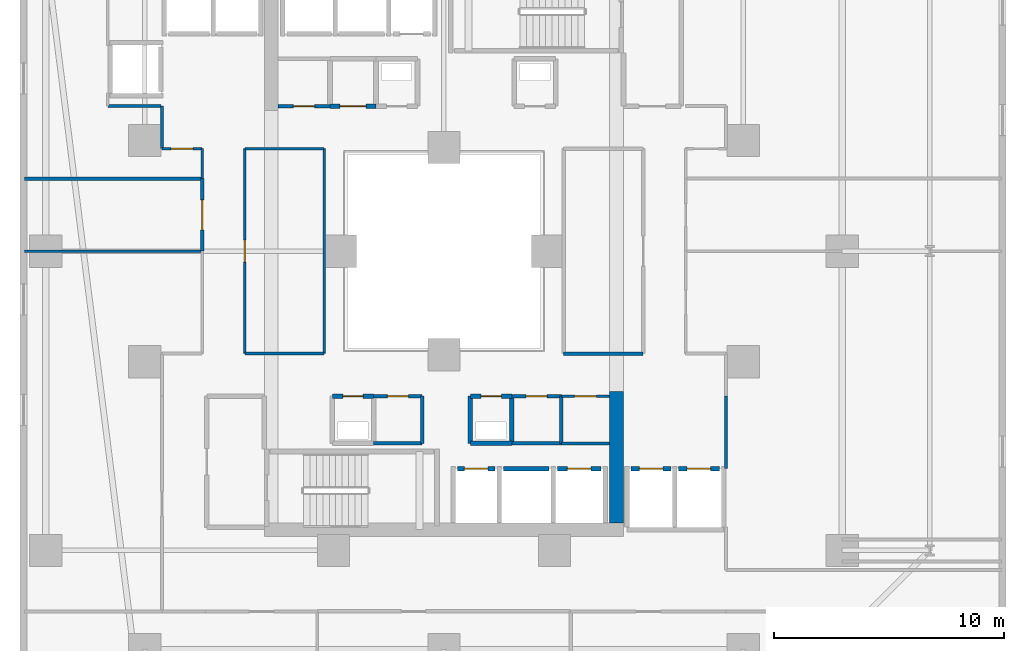
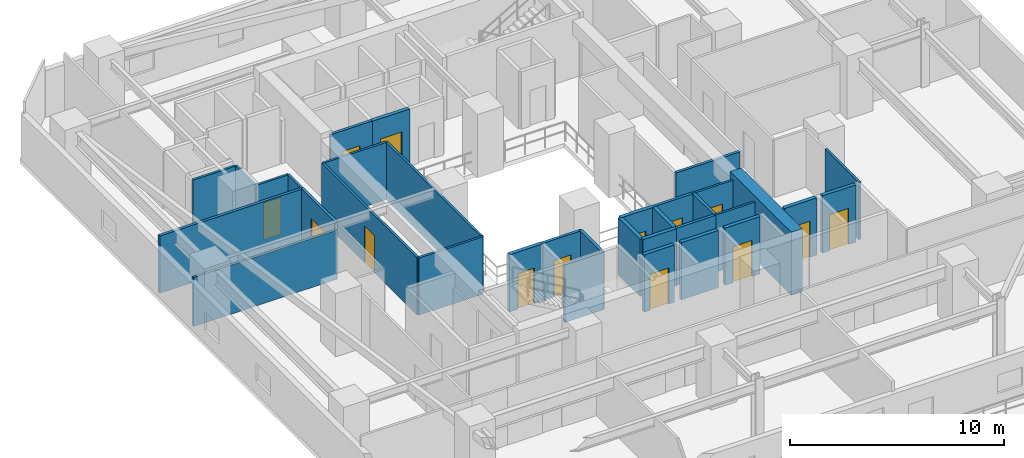
# One storey, part 22 of 36: 34 walls, 14 doors, 14 openings.
"""IFC4 building model written with IfcOpenShell, lengths in metres."""

from ifc_helpers import new_model, si_unit, direction, frame, frame_2d, origin, place, context, subcontext, project, spatial, rectangle, extrude, material, layer, layer_set, type_object, element, fill, save


model = new_model("IFC4")

# Units and contexts
model_context = context("Model", 3, precision=1e-05, world=origin(), true_north=direction((0.0, 1.0)))
body_context = subcontext(model_context, "Body", "Model", "MODEL_VIEW")
ifc_project = project(units=[si_unit("LENGTHUNIT", "METRE"), si_unit("AREAUNIT", "SQUARE_METRE"), si_unit("VOLUMEUNIT", "CUBIC_METRE"), si_unit("PLANEANGLEUNIT", "RADIAN"), si_unit("MASSUNIT", "GRAM", prefix="KILO")], contexts=[model_context])

# Site, building, storey
site_placement = place(None, origin())
site = spatial("IfcSite", under=ifc_project, at=site_placement, CompositionType="ELEMENT")
building_placement = place(site_placement, origin())
building = spatial("IfcBuilding", under=site, at=building_placement, Name="Thornwick Lancets Civic Towers", CompositionType="ELEMENT")
storey_placement = place(building_placement, frame((0.0, 0.0, 68.10009765625)))
storey = spatial("IfcBuildingStorey", under=building, at=storey_placement, Name="L17", CompositionType="ELEMENT", Elevation=68.10009765625)

# Wall, opening, door
ifc_material_1 = material(Name="Concrete blockwork C40/50", Category="masonry")
ifc_layer_1 = layer(ifc_material_1, 0.199951171875, Name="Concrete blockwork C40/50")
ifc_layer_set_1 = layer_set([ifc_layer_1], Name="Concrete blockwork C40/50")
wall_type_1 = type_object("IfcWallType", Name="WALL_COMP_200", PredefinedType="STANDARD", material=ifc_layer_set_1)
wall_1_placement = place(storey_placement, frame((26.080078125, 17.550048828125, 0.0), z_axis=(0.0, 0.0, 1.0), x_axis=(1.0, 0.0, 0.0)))
wall_1 = element("IfcWall", 1, at=wall_1_placement, inside=storey, type_object=wall_type_1, Name="L17 Hoistway Front Wall FL-A1", PredefinedType="STANDARD", context=body_context, shape_type="SweptSolid", body=[
    extrude(rectangle(XDim=1.639892578125, YDim=0.199951171875, at=frame_2d((0.81982421875, 0.0))), origin(), (0.0, 0.0, 1.0), 3.260009765625),
])
opening_1_placement = place(wall_1_placement, frame((0.31005859375, 0.0, 0.0)))
opening_1 = element("IfcOpeningElement", 2, at=opening_1_placement, cuts=wall_1, Name="Opening LD-FL-A1", PredefinedType="OPENING", context=body_context, shape_type="SweptSolid", body=[
    extrude(rectangle(XDim=1.02001953125, YDim=2.06005859375, at=frame_2d((0.510009765625, 1.030029296875))), frame((0.0, 0.10986328125, 0.0), z_axis=(0.0, -1.0, 0.0), x_axis=(1.0, 0.0, 0.0)), (0.0, 0.0, 1.0), 0.219970703125),
])
ifc_material_2 = material(Name="Brushed bronze stainless steel", Category="steel")
door_type_1 = type_object("IfcDoorType", Name="DOOR_LIFT_SLIDE", OperationType="SLIDING_TO_LEFT", PredefinedType="DOOR", material=ifc_material_2)
door_1_placement = place(opening_1_placement, origin())
door_1 = element("IfcDoor", 3, at=door_1_placement, inside=storey, type_object=door_type_1, Name="L17 Sliding Lift Landing Door LD-FL-A1", OperationType="SLIDING_TO_LEFT", OverallHeight=2.06005859375, OverallWidth=1.02001953125, PredefinedType="DOOR", context=body_context, shape_type="SweptSolid", body=[
    extrude(rectangle(XDim=1.02001953125, YDim=2.06005859375, at=frame_2d((0.510009765625, 1.030029296875))), frame((0.0, 0.02490234375, 0.0), z_axis=(0.0, -1.0, 0.0), x_axis=(1.0, 0.0, 0.0)), (0.0, 0.0, 1.0), 0.050048828125),
])
fill(opening_1, door_1)

# Wall
wall_2_placement = place(storey_placement, frame((28.080078125, 17.550048828125, 0.0), z_axis=(0.0, 0.0, 1.0), x_axis=(1.0, 0.0, 0.0)))
element("IfcWall", 4, at=wall_2_placement, inside=storey, type_object=wall_type_1, Name="L17 Hoistway Front Wall PL-AH1", PredefinedType="STANDARD", context=body_context, shape_type="SweptSolid", body=[
    extrude(rectangle(XDim=1.989990234375, YDim=0.199951171875, at=frame_2d((0.9951171875, 0.0))), origin(), (0.0, 0.0, 1.0), 3.260009765625),
])

# Wall, opening, door
wall_3_placement = place(storey_placement, frame((30.429931640625, 17.550048828125, 0.0), z_axis=(0.0, 0.0, 1.0), x_axis=(1.0, 0.0, 0.0)))
wall_3 = element("IfcWall", 5, at=wall_3_placement, inside=storey, type_object=wall_type_1, Name="L17 Hoistway Front Wall PL-AL1", PredefinedType="STANDARD", context=body_context, shape_type="SweptSolid", body=[
    extrude(rectangle(XDim=1.89013671875, YDim=0.199951171875, at=frame_2d((0.945068359375, 0.0))), origin(), (0.0, 0.0, 1.0), 3.260009765625),
])
opening_2_placement = place(wall_3_placement, frame((0.43505859375, 0.0, 0.0)))
opening_2 = element("IfcOpeningElement", 6, at=opening_2_placement, cuts=wall_3, Name="Opening LD-PL-AL1", PredefinedType="OPENING", context=body_context, shape_type="SweptSolid", body=[
    extrude(rectangle(XDim=1.02001953125, YDim=2.06005859375, at=frame_2d((0.510009765625, 1.030029296875))), frame((0.0, 0.10986328125, 0.0), z_axis=(0.0, -1.0, 0.0), x_axis=(1.0, 0.0, 0.0)), (0.0, 0.0, 1.0), 0.219970703125),
])
door_2_placement = place(opening_2_placement, origin())
door_2 = element("IfcDoor", 7, at=door_2_placement, inside=storey, type_object=door_type_1, Name="L17 Sliding Lift Landing Door LD-PL-AL1", OperationType="SLIDING_TO_LEFT", OverallHeight=2.06005859375, OverallWidth=1.02001953125, PredefinedType="DOOR", context=body_context, shape_type="SweptSolid", body=[
    extrude(rectangle(XDim=1.02001953125, YDim=2.06005859375, at=frame_2d((0.510009765625, 1.030029296875))), frame((0.0, 0.02490234375, 0.0), z_axis=(0.0, -1.0, 0.0), x_axis=(1.0, 0.0, 0.0)), (0.0, 0.0, 1.0), 0.050048828125),
])
fill(opening_2, door_2)

wall_4_placement = place(storey_placement, frame((33.6298828125, 17.550048828125, 0.0), z_axis=(0.0, 0.0, 1.0), x_axis=(1.0, 0.0, 0.0)))
wall_4 = element("IfcWall", 8, at=wall_4_placement, inside=storey, type_object=wall_type_1, Name="L17 Hoistway Front Wall PL-AL2", PredefinedType="STANDARD", context=body_context, shape_type="SweptSolid", body=[
    extrude(rectangle(XDim=1.740234375, YDim=0.199951171875, at=frame_2d((0.8701171875, 0.0))), origin(), (0.0, 0.0, 1.0), 3.260009765625),
])
opening_3_placement = place(wall_4_placement, frame((0.360107421875, 0.0, 0.0)))
opening_3 = element("IfcOpeningElement", 9, at=opening_3_placement, cuts=wall_4, Name="Opening LD-PL-AL2", PredefinedType="OPENING", context=body_context, shape_type="SweptSolid", body=[
    extrude(rectangle(XDim=1.02001953125, YDim=2.06005859375, at=frame_2d((0.510009765625, 1.030029296875))), frame((0.0, 0.10986328125, 0.0), z_axis=(0.0, -1.0, 0.0), x_axis=(1.0, 0.0, 0.0)), (0.0, 0.0, 1.0), 0.219970703125),
])
door_3_placement = place(opening_3_placement, origin())
door_3 = element("IfcDoor", 10, at=door_3_placement, inside=storey, type_object=door_type_1, Name="L17 Sliding Lift Landing Door LD-PL-AL2", OperationType="SLIDING_TO_LEFT", OverallHeight=2.06005859375, OverallWidth=1.02001953125, PredefinedType="DOOR", context=body_context, shape_type="SweptSolid", body=[
    extrude(rectangle(XDim=1.02001953125, YDim=2.06005859375, at=frame_2d((0.510009765625, 1.030029296875))), frame((0.0, 0.02490234375, 0.0), z_axis=(0.0, -1.0, 0.0), x_axis=(1.0, 0.0, 0.0)), (0.0, 0.0, 1.0), 0.050048828125),
])
fill(opening_3, door_3)

wall_5_placement = place(storey_placement, frame((35.679931640625, 17.550048828125, 0.0), z_axis=(0.0, 0.0, 1.0), x_axis=(1.0, 0.0, 0.0)))
wall_5 = element("IfcWall", 11, at=wall_5_placement, inside=storey, type_object=wall_type_1, Name="L17 Hoistway Front Wall PL-AL3", PredefinedType="STANDARD", context=body_context, shape_type="SweptSolid", body=[
    extrude(rectangle(XDim=1.7900390625, YDim=0.199951171875, at=frame_2d((0.89501953125, 0.0))), origin(), (0.0, 0.0, 1.0), 3.260009765625),
])
opening_4_placement = place(wall_5_placement, frame((0.385009765625, 0.0, 0.0)))
opening_4 = element("IfcOpeningElement", 12, at=opening_4_placement, cuts=wall_5, Name="Opening LD-PL-AL3", PredefinedType="OPENING", context=body_context, shape_type="SweptSolid", body=[
    extrude(rectangle(XDim=1.02001953125, YDim=2.06005859375, at=frame_2d((0.510009765625, 1.030029296875))), frame((0.0, 0.10986328125, 0.0), z_axis=(0.0, -1.0, 0.0), x_axis=(1.0, 0.0, 0.0)), (0.0, 0.0, 1.0), 0.219970703125),
])
door_4_placement = place(opening_4_placement, origin())
door_4 = element("IfcDoor", 13, at=door_4_placement, inside=storey, type_object=door_type_1, Name="L17 Sliding Lift Landing Door LD-PL-AL3", OperationType="SLIDING_TO_LEFT", OverallHeight=2.06005859375, OverallWidth=1.02001953125, PredefinedType="DOOR", context=body_context, shape_type="SweptSolid", body=[
    extrude(rectangle(XDim=1.02001953125, YDim=2.06005859375, at=frame_2d((0.510009765625, 1.030029296875))), frame((0.0, 0.02490234375, 0.0), z_axis=(0.0, -1.0, 0.0), x_axis=(1.0, 0.0, 0.0)), (0.0, 0.0, 1.0), 0.050048828125),
])
fill(opening_4, door_4)

# Walls
wall_6_placement = place(storey_placement, frame((26.64990234375, 18.64990234375, 0.0), z_axis=(0.0, 0.0, 1.0), x_axis=(1.0, 0.0, 0.0)))
element("IfcWall", 14, at=wall_6_placement, inside=storey, type_object=wall_type_1, Name="L17 Partition L17-A-DUCT1 E1", PredefinedType="STANDARD", context=body_context, shape_type="SweptSolid", body=[
    extrude(rectangle(XDim=1.800048828125, YDim=0.199951171875, at=frame_2d((0.89990234375, 0.0))), origin(), (0.0, 0.0, 1.0), 3.260009765625),
])
wall_7_placement = place(storey_placement, frame((28.449951171875, 18.64990234375, 0.0), z_axis=(0.0, 0.0, 1.0), x_axis=(0.0, 1.0, 0.0)))
element("IfcWall", 15, at=wall_7_placement, inside=storey, type_object=wall_type_1, Name="L17 Partition L17-A-DUCT1 E2", PredefinedType="STANDARD", context=body_context, shape_type="SweptSolid", body=[
    extrude(rectangle(XDim=2.050048828125, YDim=0.199951171875, at=frame_2d((1.02490234375, 0.0))), origin(), (0.0, 0.0, 1.0), 3.260009765625),
])

# Wall, opening, door
wall_8_placement = place(storey_placement, frame((28.449951171875, 20.699951171875, 0.0), z_axis=(0.0, 0.0, 1.0), x_axis=(-1.0, 0.0, 0.0)))
wall_8 = element("IfcWall", 16, at=wall_8_placement, inside=storey, type_object=wall_type_1, Name="L17 Partition L17-A-DUCT1 E3", PredefinedType="STANDARD", context=body_context, shape_type="SweptSolid", body=[
    extrude(rectangle(XDim=1.800048828125, YDim=0.199951171875, at=frame_2d((0.89990234375, 0.0))), origin(), (0.0, 0.0, 1.0), 3.260009765625),
])
opening_5_placement = place(wall_8_placement, frame((0.4599609375, 0.0, 0.0)))
opening_5 = element("IfcOpeningElement", 17, at=opening_5_placement, cuts=wall_8, Name="Opening D-L17-0803", PredefinedType="OPENING", context=body_context, shape_type="SweptSolid", body=[
    extrude(rectangle(XDim=0.8798828125, YDim=2.0400390625, at=frame_2d((0.43994140625, 1.02001953125))), frame((0.0, 0.10986328125, 0.0), z_axis=(0.0, -1.0, 0.0), x_axis=(1.0, 0.0, 0.0)), (0.0, 0.0, 1.0), 0.219970703125),
])
ifc_material_3 = material(Name="Steel riser access doorset", Category="steel")
door_type_2 = type_object("IfcDoorType", Name="DOOR_RISER_850", OperationType="NOTDEFINED", PredefinedType="DOOR", material=ifc_material_3)
door_5_placement = place(opening_5_placement, origin())
door_5 = element("IfcDoor", 18, at=door_5_placement, inside=storey, type_object=door_type_2, Name="L17 South Service Duct 1 Door", OperationType="SINGLE_SWING_RIGHT", OverallHeight=2.0400390625, OverallWidth=0.8798828125, PredefinedType="DOOR", context=body_context, shape_type="SweptSolid", body=[
    extrude(rectangle(XDim=0.8798828125, YDim=2.0400390625, at=frame_2d((0.43994140625, 1.02001953125))), frame((0.0, 0.02490234375, 0.0), z_axis=(0.0, -1.0, 0.0), x_axis=(1.0, 0.0, 0.0)), (0.0, 0.0, 1.0), 0.050048828125),
])
fill(opening_5, door_5)

# Wall
wall_9_placement = place(storey_placement, frame((26.64990234375, 20.699951171875, 0.0), z_axis=(0.0, 0.0, 1.0), x_axis=(0.0, -1.0, 0.0)))
element("IfcWall", 19, at=wall_9_placement, inside=storey, type_object=wall_type_1, Name="L17 Partition L17-A-DUCT1 E4", PredefinedType="STANDARD", context=body_context, shape_type="SweptSolid", body=[
    extrude(rectangle(XDim=2.050048828125, YDim=0.199951171875, at=frame_2d((1.02490234375, 0.0))), origin(), (0.0, 0.0, 1.0), 3.260009765625),
])

# Wall, opening, door
wall_10_placement = place(storey_placement, frame((22.449951171875, 20.699951171875, 0.0), z_axis=(0.0, 0.0, 1.0), x_axis=(-1.0, 0.0, 0.0)))
wall_10 = element("IfcWall", 20, at=wall_10_placement, inside=storey, type_object=wall_type_1, Name="L17 Partition L17-A-RISER1 E3", PredefinedType="STANDARD", context=body_context, shape_type="SweptSolid", body=[
    extrude(rectangle(XDim=1.800048828125, YDim=0.199951171875, at=frame_2d((0.89990234375, 0.0))), origin(), (0.0, 0.0, 1.0), 3.260009765625),
])
opening_6_placement = place(wall_10_placement, frame((0.4599609375, 0.0, 0.0)))
opening_6 = element("IfcOpeningElement", 21, at=opening_6_placement, cuts=wall_10, Name="Opening D-L17-0804", PredefinedType="OPENING", context=body_context, shape_type="SweptSolid", body=[
    extrude(rectangle(XDim=0.8798828125, YDim=2.0400390625, at=frame_2d((0.43994140625, 1.02001953125))), frame((0.0, 0.10986328125, 0.0), z_axis=(0.0, -1.0, 0.0), x_axis=(1.0, 0.0, 0.0)), (0.0, 0.0, 1.0), 0.219970703125),
])
door_6_placement = place(opening_6_placement, origin())
door_6 = element("IfcDoor", 22, at=door_6_placement, inside=storey, type_object=door_type_2, Name="L17 South Electrical Riser 1 Door", OperationType="SINGLE_SWING_LEFT", OverallHeight=2.0400390625, OverallWidth=0.8798828125, PredefinedType="DOOR", context=body_context, shape_type="SweptSolid", body=[
    extrude(rectangle(XDim=0.8798828125, YDim=2.0400390625, at=frame_2d((0.43994140625, 1.02001953125))), frame((0.0, 0.02490234375, 0.0), z_axis=(0.0, -1.0, 0.0), x_axis=(1.0, 0.0, 0.0)), (0.0, 0.0, 1.0), 0.050048828125),
])
fill(opening_6, door_6)

wall_11_placement = place(storey_placement, frame((22.550048828125, 33.300048828125, 0.0), z_axis=(0.0, 0.0, 1.0), x_axis=(-1.0, 0.0, 0.0)))
wall_11 = element("IfcWall", 23, at=wall_11_placement, inside=storey, type_object=wall_type_1, Name="L17 Partition L17-A-STR E4", PredefinedType="STANDARD", context=body_context, shape_type="SweptSolid", body=[
    extrude(rectangle(XDim=2.0, YDim=0.199951171875, at=frame_2d((1.0, 0.0))), origin(), (0.0, 0.0, 1.0), 3.260009765625),
])
opening_7_placement = place(wall_11_placement, frame((0.425048828125, 0.0, 0.0)))
opening_7 = element("IfcOpeningElement", 24, at=opening_7_placement, cuts=wall_11, Name="Opening D-L17-0811", PredefinedType="OPENING", context=body_context, shape_type="SweptSolid", body=[
    extrude(rectangle(XDim=1.14990234375, YDim=2.10009765625, at=frame_2d((0.574951171875, 1.050048828125))), frame((0.0, 0.10986328125, 0.0), z_axis=(0.0, -1.0, 0.0), x_axis=(1.0, 0.0, 0.0)), (0.0, 0.0, 1.0), 0.219970703125),
])
ifc_material_4 = material(Name="Glazed fire-resisting steel", Category="steel")
door_type_3 = type_object("IfcDoorType", Name="DOOR_LOBBY_FD60", OperationType="NOTDEFINED", PredefinedType="DOOR", material=ifc_material_4)
door_7_placement = place(opening_7_placement, origin())
door_7 = element("IfcDoor", 25, at=door_7_placement, inside=storey, type_object=door_type_3, Name="L17 Tower A Core Records Store Door", OperationType="SINGLE_SWING_RIGHT", OverallHeight=2.10009765625, OverallWidth=1.14990234375, PredefinedType="DOOR", context=body_context, shape_type="SweptSolid", body=[
    extrude(rectangle(XDim=1.14990234375, YDim=2.10009765625, at=frame_2d((0.574951171875, 1.050048828125))), frame((0.0, 0.02490234375, 0.0), z_axis=(0.0, -1.0, 0.0), x_axis=(1.0, 0.0, 0.0)), (0.0, 0.0, 1.0), 0.050048828125),
])
fill(opening_7, door_7)

# Walls
ifc_material_5 = material(Name="Concrete C60/75", Category="concrete")
ifc_layer_2 = layer(ifc_material_5, 0.60009765625, Name="Concrete C60/75")
ifc_layer_set_2 = layer_set([ifc_layer_2], Name="Concrete C60/75")
wall_type_2 = type_object("IfcWallType", Name="WALL_CORE_600", PredefinedType="SHEAR", material=ifc_layer_set_2)
wall_12_placement = place(storey_placement, frame((33.0, 15.199951171875, 0.0), z_axis=(0.0, 0.0, 1.0), x_axis=(0.0, 1.0, 0.0)))
element("IfcWall", 26, at=wall_12_placement, inside=storey, type_object=wall_type_2, Name="L17 Split Core A1 Shear Wall E", PredefinedType="SHEAR", context=body_context, shape_type="SweptSolid", body=[
    extrude(rectangle(XDim=5.699951171875, YDim=0.60009765625, at=frame_2d((2.85009765625, 0.0))), origin(), (0.0, 0.0, 1.0), 3.599853515625),
])
ifc_material_6 = material(Name="Acoustic gypsum board partition")
ifc_layer_3 = layer(ifc_material_6, 0.1201171875, Name="Acoustic gypsum board partition")
ifc_layer_set_3 = layer_set([ifc_layer_3], Name="Acoustic gypsum board partition")
wall_type_3 = type_object("IfcWallType", Name="WALL_PART_120", PredefinedType="PARTITIONING", material=ifc_layer_set_3)
wall_13_placement = place(storey_placement, frame((32.699951171875, 18.64990234375, 0.0), z_axis=(0.0, 0.0, 1.0), x_axis=(-1.0, 0.0, 0.0)))
element("IfcWall", 27, at=wall_13_placement, inside=storey, type_object=wall_type_3, Name="L17 Partition L17-A-ITR E2", PredefinedType="PARTITIONING", context=body_context, shape_type="SweptSolid", body=[
    extrude(rectangle(XDim=2.099853515625, YDim=0.1201171875, at=frame_2d((1.0498046875, 0.0))), origin(), (0.0, 0.0, 1.0), 3.260009765625),
])

# Wall, opening, door
wall_14_placement = place(storey_placement, frame((30.60009765625, 20.699951171875, 0.0), z_axis=(0.0, 0.0, 1.0), x_axis=(1.0, 0.0, 0.0)))
wall_14 = element("IfcWall", 28, at=wall_14_placement, inside=storey, type_object=wall_type_3, Name="L17 Partition L17-A-ITR E4", PredefinedType="PARTITIONING", context=body_context, shape_type="SweptSolid", body=[
    extrude(rectangle(XDim=2.099853515625, YDim=0.1201171875, at=frame_2d((1.0498046875, 0.0))), origin(), (0.0, 0.0, 1.0), 3.260009765625),
])
opening_8_placement = place(wall_14_placement, frame((0.574951171875, 0.0, 0.0)))
opening_8 = element("IfcOpeningElement", 29, at=opening_8_placement, cuts=wall_14, Name="Opening D-L17-0809", PredefinedType="OPENING", context=body_context, shape_type="SweptSolid", body=[
    extrude(rectangle(XDim=0.949951171875, YDim=2.10009765625, at=frame_2d((0.47509765625, 1.050048828125))), frame((0.0, 0.070068359375, 0.0), z_axis=(0.0, -1.0, 0.0), x_axis=(1.0, 0.0, 0.0)), (0.0, 0.0, 1.0), 0.14013671875),
])
ifc_material_7 = material(Name="European oak acoustic doorset")
door_type_4 = type_object("IfcDoorType", Name="DOOR_OFFICE_950", OperationType="NOTDEFINED", PredefinedType="DOOR", material=ifc_material_7)
door_8_placement = place(opening_8_placement, origin())
door_8 = element("IfcDoor", 30, at=door_8_placement, inside=storey, type_object=door_type_4, Name="L17 Tower A Comms Patch Room Door", OperationType="SINGLE_SWING_RIGHT", OverallHeight=2.10009765625, OverallWidth=0.949951171875, PredefinedType="DOOR", context=body_context, shape_type="SweptSolid", body=[
    extrude(rectangle(XDim=0.949951171875, YDim=2.10009765625, at=frame_2d((0.47509765625, 1.050048828125))), frame((0.0, 0.02490234375, 0.0), z_axis=(0.0, -1.0, 0.0), x_axis=(1.0, 0.0, 0.0)), (0.0, 0.0, 1.0), 0.050048828125),
])
fill(opening_8, door_8)

# Walls
wall_15_placement = place(storey_placement, frame((7.280029296875, 27.0, 0.0), z_axis=(0.0, 0.0, 1.0), x_axis=(1.0, 0.0, 0.0)))
element("IfcWall", 31, at=wall_15_placement, inside=storey, type_object=wall_type_3, Name="L17 Partition L17-A-W1 E7", PredefinedType="PARTITIONING", context=body_context, shape_type="SweptSolid", body=[
    extrude(rectangle(XDim=7.719970703125, YDim=0.1201171875, at=frame_2d((3.85986328125, 0.0))), origin(), (0.0, 0.0, 1.0), 2.797607421875),
])
wall_16_placement = place(storey_placement, frame((13.25, 33.300048828125, 0.0), z_axis=(0.0, 0.0, 1.0), x_axis=(0.0, -1.0, 0.0)))
element("IfcWall", 32, at=wall_16_placement, inside=storey, type_object=wall_type_3, Name="L17 Partition L17-A-W3 E2", PredefinedType="PARTITIONING", context=body_context, shape_type="SweptSolid", body=[
    extrude(rectangle(XDim=1.85009765625, YDim=0.1201171875, at=frame_2d((0.925048828125, 0.0))), origin(), (0.0, 0.0, 1.0), 3.260009765625),
])

# Wall, opening, door
wall_17_placement = place(storey_placement, frame((13.25, 31.449951171875, 0.0), z_axis=(0.0, 0.0, 1.0), x_axis=(1.0, 0.0, 0.0)))
wall_17 = element("IfcWall", 33, at=wall_17_placement, inside=storey, type_object=wall_type_3, Name="L17 Partition L17-A-W3 E3", PredefinedType="PARTITIONING", context=body_context, shape_type="SweptSolid", body=[
    extrude(rectangle(XDim=1.75, YDim=0.1201171875, at=frame_2d((0.875, 0.0))), origin(), (0.0, 0.0, 1.0), 3.260009765625),
])
opening_9_placement = place(wall_17_placement, frame((0.39990234375, 0.0, 0.0)))
opening_9 = element("IfcOpeningElement", 34, at=opening_9_placement, cuts=wall_17, Name="Opening D-L17-0825", PredefinedType="OPENING", context=body_context, shape_type="SweptSolid", body=[
    extrude(rectangle(XDim=0.949951171875, YDim=2.10009765625, at=frame_2d((0.47509765625, 1.050048828125))), frame((0.0, 0.070068359375, 0.0), z_axis=(0.0, -1.0, 0.0), x_axis=(1.0, 0.0, 0.0)), (0.0, 0.0, 1.0), 0.14013671875),
])
door_9_placement = place(opening_9_placement, origin())
door_9 = element("IfcDoor", 35, at=door_9_placement, inside=storey, type_object=door_type_4, Name="L17 Tower A Staff Tea Pantry and Lounge Door", OperationType="SINGLE_SWING_RIGHT", OverallHeight=2.10009765625, OverallWidth=0.949951171875, PredefinedType="DOOR", context=body_context, shape_type="SweptSolid", body=[
    extrude(rectangle(XDim=0.949951171875, YDim=2.10009765625, at=frame_2d((0.47509765625, 1.050048828125))), frame((0.0, 0.02490234375, 0.0), z_axis=(0.0, -1.0, 0.0), x_axis=(1.0, 0.0, 0.0)), (0.0, 0.0, 1.0), 0.050048828125),
])
fill(opening_9, door_9)

# Walls
wall_18_placement = place(storey_placement, frame((15.0, 31.449951171875, 0.0), z_axis=(0.0, 0.0, 1.0), x_axis=(0.0, -1.0, 0.0)))
element("IfcWall", 36, at=wall_18_placement, inside=storey, type_object=wall_type_3, Name="L17 Partition L17-A-W3 E4", PredefinedType="PARTITIONING", context=body_context, shape_type="SweptSolid", body=[
    extrude(rectangle(XDim=1.300048828125, YDim=0.1201171875, at=frame_2d((0.64990234375, 0.0))), origin(), (0.0, 0.0, 1.0), 3.260009765625),
])
wall_19_placement = place(storey_placement, frame((10.89990234375, 33.300048828125, 0.0), z_axis=(0.0, 0.0, 1.0), x_axis=(1.0, 0.0, 0.0)))
element("IfcWall", 37, at=wall_19_placement, inside=storey, type_object=wall_type_3, Name="L17 Partition L17-A-W3 E10", PredefinedType="PARTITIONING", context=body_context, shape_type="SweptSolid", body=[
    extrude(rectangle(XDim=2.300048828125, YDim=0.1201171875, at=frame_2d((1.14990234375, 0.0))), origin(), (0.0, 0.0, 1.0), 3.260009765625),
])
wall_20_placement = place(storey_placement, frame((37.75, 17.550048828125, 0.0), z_axis=(0.0, 0.0, 1.0), x_axis=(0.0, 1.0, 0.0)))
element("IfcWall", 38, at=wall_20_placement, inside=storey, type_object=wall_type_3, Name="L17 Partition L17-A-E1 E1", PredefinedType="PARTITIONING", context=body_context, shape_type="SweptSolid", body=[
    extrude(rectangle(XDim=3.14990234375, YDim=0.1201171875, at=frame_2d((1.574951171875, 0.0))), origin(), (0.0, 0.0, 1.0), 3.260009765625),
])

# Wall, opening, door
wall_21_placement = place(storey_placement, frame((16.85009765625, 22.550048828125, 0.0), z_axis=(0.0, 0.0, 1.0), x_axis=(0.0, 1.0, 0.0)))
wall_21 = element("IfcWall", 39, at=wall_21_placement, inside=storey, type_object=wall_type_3, Name="L17 Partition L17-A-ATR-W E1", PredefinedType="PARTITIONING", context=body_context, shape_type="SweptSolid", body=[
    extrude(rectangle(XDim=8.89990234375, YDim=0.1201171875, at=frame_2d((4.449951171875, 0.0))), origin(), (0.0, 0.0, 1.0), 3.260009765625),
])
opening_10_placement = place(wall_21_placement, frame((3.97509765625, 0.0, 0.0)))
opening_10 = element("IfcOpeningElement", 40, at=opening_10_placement, cuts=wall_21, Name="Opening D-L17-0830", PredefinedType="OPENING", context=body_context, shape_type="SweptSolid", body=[
    extrude(rectangle(XDim=0.949951171875, YDim=2.10009765625, at=frame_2d((0.47509765625, 1.050048828125))), frame((0.0, 0.070068359375, 0.0), z_axis=(0.0, -1.0, 0.0), x_axis=(1.0, 0.0, 0.0)), (0.0, 0.0, 1.0), 0.14013671875),
])
door_10_placement = place(opening_10_placement, origin())
door_10 = element("IfcDoor", 41, at=door_10_placement, inside=storey, type_object=door_type_4, Name="L17 Tower A West Atrium Study Lounge Door", OperationType="SINGLE_SWING_LEFT", OverallHeight=2.10009765625, OverallWidth=0.949951171875, PredefinedType="DOOR", context=body_context, shape_type="SweptSolid", body=[
    extrude(rectangle(XDim=0.949951171875, YDim=2.10009765625, at=frame_2d((0.47509765625, 1.050048828125))), frame((0.0, 0.02490234375, 0.0), z_axis=(0.0, -1.0, 0.0), x_axis=(1.0, 0.0, 0.0)), (0.0, 0.0, 1.0), 0.050048828125),
])
fill(opening_10, door_10)

# Walls
wall_22_placement = place(storey_placement, frame((16.85009765625, 31.449951171875, 0.0), z_axis=(0.0, 0.0, 1.0), x_axis=(1.0, 0.0, 0.0)))
element("IfcWall", 42, at=wall_22_placement, inside=storey, type_object=wall_type_3, Name="L17 Partition L17-A-ATR-W E2", PredefinedType="PARTITIONING", context=body_context, shape_type="SweptSolid", body=[
    extrude(rectangle(XDim=3.449951171875, YDim=0.1201171875, at=frame_2d((1.72509765625, 0.0))), origin(), (0.0, 0.0, 1.0), 3.260009765625),
])
wall_23_placement = place(storey_placement, frame((20.300048828125, 31.449951171875, 0.0), z_axis=(0.0, 0.0, 1.0), x_axis=(0.0, -1.0, 0.0)))
element("IfcWall", 43, at=wall_23_placement, inside=storey, type_object=wall_type_3, Name="L17 Partition L17-A-ATR-W E3", PredefinedType="PARTITIONING", context=body_context, shape_type="SweptSolid", body=[
    extrude(rectangle(XDim=8.89990234375, YDim=0.1201171875, at=frame_2d((4.449951171875, 0.0))), origin(), (0.0, 0.0, 1.0), 3.260009765625),
])
wall_24_placement = place(storey_placement, frame((20.300048828125, 22.550048828125, 0.0), z_axis=(0.0, 0.0, 1.0), x_axis=(-1.0, 0.0, 0.0)))
element("IfcWall", 44, at=wall_24_placement, inside=storey, type_object=wall_type_3, Name="L17 Partition L17-A-ATR-W E4", PredefinedType="PARTITIONING", context=body_context, shape_type="SweptSolid", body=[
    extrude(rectangle(XDim=3.449951171875, YDim=0.1201171875, at=frame_2d((1.72509765625, 0.0))), origin(), (0.0, 0.0, 1.0), 3.260009765625),
])
ifc_material_8 = material(Name="Twin-stud acoustic gypsum board")
ifc_layer_4 = layer(ifc_material_8, 0.14990234375, Name="Twin-stud acoustic gypsum board")
ifc_layer_set_4 = layer_set([ifc_layer_4], Name="Twin-stud acoustic gypsum board")
wall_type_4 = type_object("IfcWallType", Name="WALL_PART_150", PredefinedType="PARTITIONING", material=ifc_layer_set_4)
wall_25_placement = place(storey_placement, frame((24.550048828125, 20.699951171875, 0.0), z_axis=(0.0, 0.0, 1.0), x_axis=(0.0, -1.0, 0.0)))
element("IfcWall", 45, at=wall_25_placement, inside=storey, type_object=wall_type_4, Name="L17 Partition L17-A-MWC E1", PredefinedType="PARTITIONING", context=body_context, shape_type="SweptSolid", body=[
    extrude(rectangle(XDim=2.050048828125, YDim=0.14990234375, at=frame_2d((1.02490234375, 0.0))), origin(), (0.0, 0.0, 1.0), 3.260009765625),
])
wall_26_placement = place(storey_placement, frame((24.550048828125, 18.64990234375, 0.0), z_axis=(0.0, 0.0, 1.0), x_axis=(-1.0, 0.0, 0.0)))
element("IfcWall", 46, at=wall_26_placement, inside=storey, type_object=wall_type_4, Name="L17 Partition L17-A-MWC E2", PredefinedType="PARTITIONING", context=body_context, shape_type="SweptSolid", body=[
    extrude(rectangle(XDim=2.10009765625, YDim=0.14990234375, at=frame_2d((1.050048828125, 0.0))), origin(), (0.0, 0.0, 1.0), 3.260009765625),
])

# Wall, opening, door
wall_27_placement = place(storey_placement, frame((22.449951171875, 20.699951171875, 0.0), z_axis=(0.0, 0.0, 1.0), x_axis=(1.0, 0.0, 0.0)))
wall_27 = element("IfcWall", 47, at=wall_27_placement, inside=storey, type_object=wall_type_4, Name="L17 Partition L17-A-MWC E4", PredefinedType="PARTITIONING", context=body_context, shape_type="SweptSolid", body=[
    extrude(rectangle(XDim=2.10009765625, YDim=0.14990234375, at=frame_2d((1.050048828125, 0.0))), origin(), (0.0, 0.0, 1.0), 3.260009765625),
])
opening_11_placement = place(wall_27_placement, frame((0.590087890625, 0.0, 0.0)))
opening_11 = element("IfcOpeningElement", 48, at=opening_11_placement, cuts=wall_27, Name="Opening D-L17-0807", PredefinedType="OPENING", context=body_context, shape_type="SweptSolid", body=[
    extrude(rectangle(XDim=0.919921875, YDim=2.080078125, at=frame_2d((0.4599609375, 1.0400390625))), frame((0.0, 0.0849609375, 0.0), z_axis=(0.0, -1.0, 0.0), x_axis=(1.0, 0.0, 0.0)), (0.0, 0.0, 1.0), 0.169921875),
])
ifc_material_9 = material(Name="Moisture-resistant oak doorset")
door_type_5 = type_object("IfcDoorType", Name="DOOR_WC_900", OperationType="NOTDEFINED", PredefinedType="DOOR", material=ifc_material_9)
door_11_placement = place(opening_11_placement, origin())
door_11 = element("IfcDoor", 49, at=door_11_placement, inside=storey, type_object=door_type_5, Name="L17 Tower A Male WC Door", OperationType="SINGLE_SWING_RIGHT", OverallHeight=2.080078125, OverallWidth=0.919921875, PredefinedType="DOOR", context=body_context, shape_type="SweptSolid", body=[
    extrude(rectangle(XDim=0.919921875, YDim=2.080078125, at=frame_2d((0.4599609375, 1.0400390625))), frame((0.0, 0.02490234375, 0.0), z_axis=(0.0, -1.0, 0.0), x_axis=(1.0, 0.0, 0.0)), (0.0, 0.0, 1.0), 0.050048828125),
])
fill(opening_11, door_11)

# Walls
wall_28_placement = place(storey_placement, frame((30.60009765625, 20.699951171875, 0.0), z_axis=(0.0, 0.0, 1.0), x_axis=(0.0, -1.0, 0.0)))
element("IfcWall", 50, at=wall_28_placement, inside=storey, type_object=wall_type_4, Name="L17 Partition L17-A-FWC E1", PredefinedType="PARTITIONING", context=body_context, shape_type="SweptSolid", body=[
    extrude(rectangle(XDim=2.050048828125, YDim=0.14990234375, at=frame_2d((1.02490234375, 0.0))), origin(), (0.0, 0.0, 1.0), 3.260009765625),
])
wall_29_placement = place(storey_placement, frame((30.60009765625, 18.64990234375, 0.0), z_axis=(0.0, 0.0, 1.0), x_axis=(-1.0, 0.0, 0.0)))
element("IfcWall", 51, at=wall_29_placement, inside=storey, type_object=wall_type_4, Name="L17 Partition L17-A-FWC E2", PredefinedType="PARTITIONING", context=body_context, shape_type="SweptSolid", body=[
    extrude(rectangle(XDim=2.150146484375, YDim=0.14990234375, at=frame_2d((1.0751953125, 0.0))), origin(), (0.0, 0.0, 1.0), 3.260009765625),
])

# Wall, opening, door
wall_30_placement = place(storey_placement, frame((28.449951171875, 20.699951171875, 0.0), z_axis=(0.0, 0.0, 1.0), x_axis=(1.0, 0.0, 0.0)))
wall_30 = element("IfcWall", 52, at=wall_30_placement, inside=storey, type_object=wall_type_4, Name="L17 Partition L17-A-FWC E4", PredefinedType="PARTITIONING", context=body_context, shape_type="SweptSolid", body=[
    extrude(rectangle(XDim=2.150146484375, YDim=0.14990234375, at=frame_2d((1.0751953125, 0.0))), origin(), (0.0, 0.0, 1.0), 3.260009765625),
])
opening_12_placement = place(wall_30_placement, frame((0.614990234375, 0.0, 0.0)))
opening_12 = element("IfcOpeningElement", 53, at=opening_12_placement, cuts=wall_30, Name="Opening D-L17-0808", PredefinedType="OPENING", context=body_context, shape_type="SweptSolid", body=[
    extrude(rectangle(XDim=0.919921875, YDim=2.080078125, at=frame_2d((0.4599609375, 1.0400390625))), frame((0.0, 0.0849609375, 0.0), z_axis=(0.0, -1.0, 0.0), x_axis=(1.0, 0.0, 0.0)), (0.0, 0.0, 1.0), 0.169921875),
])
door_12_placement = place(opening_12_placement, origin())
door_12 = element("IfcDoor", 54, at=door_12_placement, inside=storey, type_object=door_type_5, Name="L17 Tower A Female WC Door", OperationType="SINGLE_SWING_LEFT", OverallHeight=2.080078125, OverallWidth=0.919921875, PredefinedType="DOOR", context=body_context, shape_type="SweptSolid", body=[
    extrude(rectangle(XDim=0.919921875, YDim=2.080078125, at=frame_2d((0.4599609375, 1.0400390625))), frame((0.0, 0.02490234375, 0.0), z_axis=(0.0, -1.0, 0.0), x_axis=(1.0, 0.0, 0.0)), (0.0, 0.0, 1.0), 0.050048828125),
])
fill(opening_12, door_12)

wall_31_placement = place(storey_placement, frame((18.300048828125, 33.300048828125, 0.0), z_axis=(0.0, 0.0, 1.0), x_axis=(1.0, 0.0, 0.0)))
wall_31 = element("IfcWall", 55, at=wall_31_placement, inside=storey, type_object=wall_type_4, Name="L17 Partition L17-A-AWC E1", PredefinedType="PARTITIONING", context=body_context, shape_type="SweptSolid", body=[
    extrude(rectangle(XDim=2.25, YDim=0.14990234375, at=frame_2d((1.125, 0.0))), origin(), (0.0, 0.0, 1.0), 3.260009765625),
])
opening_13_placement = place(wall_31_placement, frame((0.6650390625, 0.0, 0.0)))
opening_13 = element("IfcOpeningElement", 56, at=opening_13_placement, cuts=wall_31, Name="Opening D-L17-0810", PredefinedType="OPENING", context=body_context, shape_type="SweptSolid", body=[
    extrude(rectangle(XDim=0.919921875, YDim=2.080078125, at=frame_2d((0.4599609375, 1.0400390625))), frame((0.0, 0.0849609375, 0.0), z_axis=(0.0, -1.0, 0.0), x_axis=(1.0, 0.0, 0.0)), (0.0, 0.0, 1.0), 0.169921875),
])
door_13_placement = place(opening_13_placement, origin())
door_13 = element("IfcDoor", 57, at=door_13_placement, inside=storey, type_object=door_type_5, Name="L17 Tower A Accessible WC Door", OperationType="SINGLE_SWING_LEFT", OverallHeight=2.080078125, OverallWidth=0.919921875, PredefinedType="DOOR", context=body_context, shape_type="SweptSolid", body=[
    extrude(rectangle(XDim=0.919921875, YDim=2.080078125, at=frame_2d((0.4599609375, 1.0400390625))), frame((0.0, 0.02490234375, 0.0), z_axis=(0.0, -1.0, 0.0), x_axis=(1.0, 0.0, 0.0)), (0.0, 0.0, 1.0), 0.050048828125),
])
fill(opening_13, door_13)

# Wall
wall_32_placement = place(storey_placement, frame((7.280029296875, 30.14990234375, 0.0), z_axis=(0.0, 0.0, 1.0), x_axis=(1.0, 0.0, 0.0)))
element("IfcWall", 58, at=wall_32_placement, inside=storey, type_object=wall_type_4, Name="L17 Partition L17-A-W2 E1", PredefinedType="PARTITIONING", context=body_context, shape_type="SweptSolid", body=[
    extrude(rectangle(XDim=7.719970703125, YDim=0.14990234375, at=frame_2d((3.85986328125, 0.0))), origin(), (0.0, 0.0, 1.0), 3.260009765625),
])

# Wall, opening, door
wall_33_placement = place(storey_placement, frame((15.0, 30.14990234375, 0.0), z_axis=(0.0, 0.0, 1.0), x_axis=(0.0, -1.0, 0.0)))
wall_33 = element("IfcWall", 59, at=wall_33_placement, inside=storey, type_object=wall_type_4, Name="L17 Partition L17-A-W2 E2", PredefinedType="PARTITIONING", context=body_context, shape_type="SweptSolid", body=[
    extrude(rectangle(XDim=3.14990234375, YDim=0.14990234375, at=frame_2d((1.574951171875, 0.0))), origin(), (0.0, 0.0, 1.0), 3.260009765625),
])
opening_14_placement = place(wall_33_placement, frame((0.925048828125, 0.0, 0.0)))
opening_14 = element("IfcOpeningElement", 60, at=opening_14_placement, cuts=wall_33, Name="Opening D-L17-0824", PredefinedType="OPENING", context=body_context, shape_type="SweptSolid", body=[
    extrude(rectangle(XDim=1.300048828125, YDim=2.1201171875, at=frame_2d((0.64990234375, 1.06005859375))), frame((0.0, 0.0849609375, 0.0), z_axis=(0.0, -1.0, 0.0), x_axis=(1.0, 0.0, 0.0)), (0.0, 0.0, 1.0), 0.169921875),
])
ifc_material_10 = material(Name="Acoustic oak leaf-and-a-half doorset")
door_type_6 = type_object("IfcDoorType", Name="DOOR_MEET_1300", OperationType="DOUBLE_DOOR_SINGLE_SWING", PredefinedType="DOOR", material=ifc_material_10)
door_14_placement = place(opening_14_placement, origin())
door_14 = element("IfcDoor", 61, at=door_14_placement, inside=storey, type_object=door_type_6, Name="L17 Tower A Policy Briefing Room W2 Door", OperationType="DOUBLE_DOOR_SINGLE_SWING", OverallHeight=2.1201171875, OverallWidth=1.300048828125, PredefinedType="DOOR", context=body_context, shape_type="SweptSolid", body=[
    extrude(rectangle(XDim=1.300048828125, YDim=2.1201171875, at=frame_2d((0.64990234375, 1.06005859375))), frame((0.0, 0.02490234375, 0.0), z_axis=(0.0, -1.0, 0.0), x_axis=(1.0, 0.0, 0.0)), (0.0, 0.0, 1.0), 0.050048828125),
])
fill(opening_14, door_14)

# Wall
wall_34_placement = place(storey_placement, frame((34.14990234375, 22.550048828125, 0.0), z_axis=(0.0, 0.0, 1.0), x_axis=(-1.0, 0.0, 0.0)))
element("IfcWall", 62, at=wall_34_placement, inside=storey, type_object=wall_type_4, Name="L17 Partition L17-A-ATR-E E4", PredefinedType="PARTITIONING", context=body_context, shape_type="SweptSolid", body=[
    extrude(rectangle(XDim=3.449951171875, YDim=0.14990234375, at=frame_2d((1.72509765625, 0.0))), origin(), (0.0, 0.0, 1.0), 3.260009765625),
])

save(model, "model.ifc")
